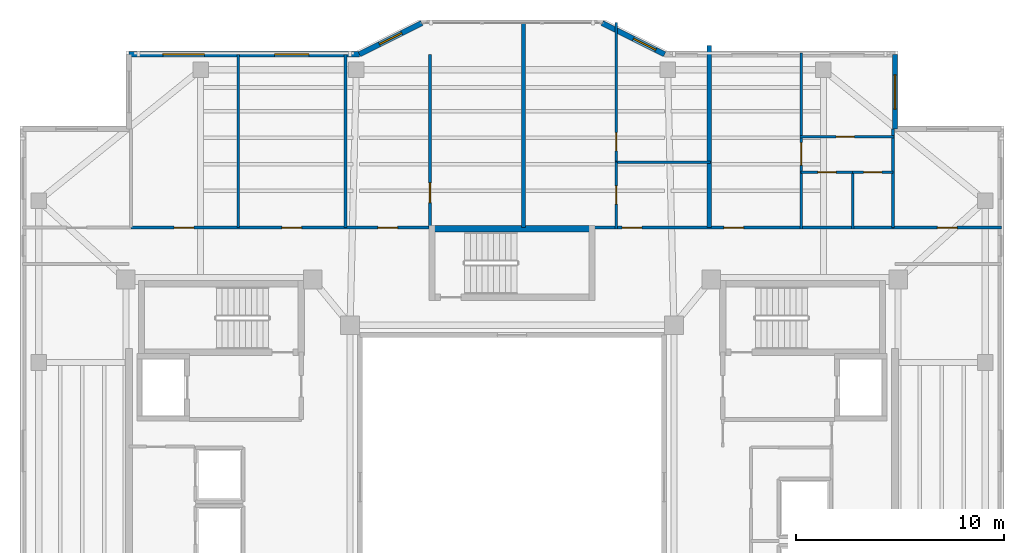
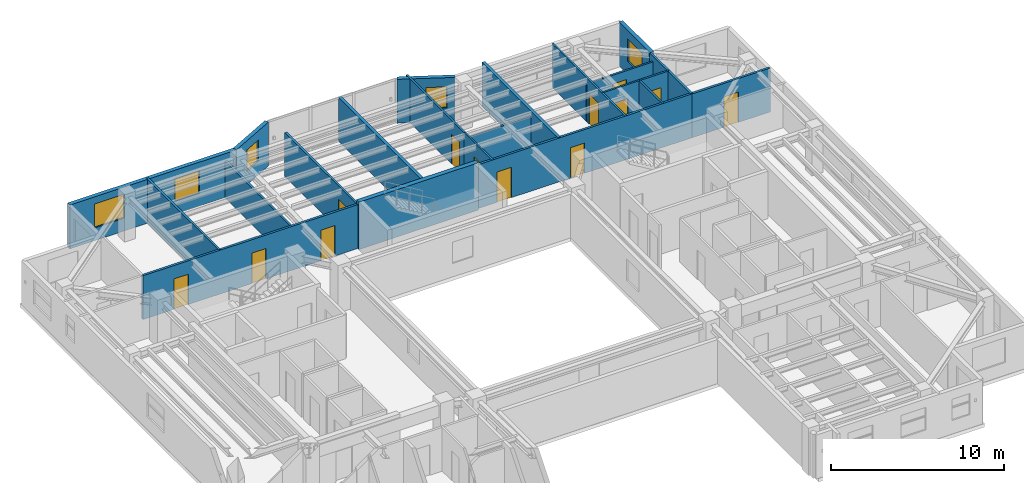
# One storey, part 7 of 11: 22 walls, 13 doors, 5 windows, 18 openings.
"""IFC4 building model written with IfcOpenShell, lengths in metres."""

from ifc_helpers import new_model, si_unit, direction, frame, frame_2d, origin, place, context, subcontext, project, spatial, rectangle, extrude, material, layer, layer_set, type_object, element, fill, save


model = new_model("IFC4")

# Units and contexts
model_context = context("Model", 3, precision=1e-05, world=origin(), true_north=direction((0.0, 1.0)))
body_context = subcontext(model_context, "Body", "Model", "MODEL_VIEW")
ifc_project = project(units=[si_unit("LENGTHUNIT", "METRE"), si_unit("AREAUNIT", "SQUARE_METRE"), si_unit("VOLUMEUNIT", "CUBIC_METRE"), si_unit("PLANEANGLEUNIT", "RADIAN"), si_unit("MASSUNIT", "GRAM", prefix="KILO")], contexts=[model_context])

# Site, building, storey
site_placement = place(None, origin())
site = spatial("IfcSite", under=ifc_project, at=site_placement, CompositionType="ELEMENT")
building_placement = place(site_placement, origin())
building = spatial("IfcBuilding", under=site, at=building_placement, Name="Tarnavaz Court Tower", CompositionType="ELEMENT")
storey_placement = place(building_placement, frame((0.0, 0.0, 217.050048828125)))
storey = spatial("IfcBuildingStorey", under=building, at=storey_placement, Name="L59", CompositionType="ELEMENT", Elevation=217.050048828125)

# Wall
ifc_material_1 = material(Name="Concrete C50/60", Category="concrete")
ifc_layer_1 = layer(ifc_material_1, 0.300048828125)
ifc_layer_set_1 = layer_set([ifc_layer_1], Name="Concrete C50/60")
wall_type_1 = type_object("IfcWallType", Name="WL-CORE-300-C50", PredefinedType="SHEAR", material=ifc_layer_set_1)
wall_1_placement = place(storey_placement, frame((-4.0, 12.43994140625, 0.0), z_axis=(0.0, 0.0, 1.0), x_axis=(1.0, 0.0, 0.0)))
element("IfcWall", 1, at=wall_1_placement, inside=storey, type_object=wall_type_1, Name="L59 North Stair Core Wall 009", PredefinedType="SHEAR", context=body_context, shape_type="SweptSolid", body=[
    extrude(rectangle(XDim=8.0, YDim=0.300048828125, at=frame_2d((4.0, 0.0))), origin(), (0.0, 0.0, 1.0), 3.349853515625),
])

# Wall, openings, windows
ifc_material_2 = material(Name="Precast Concrete C40/50", Category="concrete")
ifc_layer_2 = layer(ifc_material_2, 0.260009765625)
ifc_layer_set_2 = layer_set([ifc_layer_2], Name="Precast Concrete C40/50")
wall_type_2 = type_object("IfcWallType", Name="WL-EXT-260", PredefinedType="SOLIDWALL", material=ifc_layer_set_2)
wall_2_placement = place(storey_placement, frame((-18.449951171875, 20.85009765625, 0.0), z_axis=(0.0, 0.0, 1.0), x_axis=(1.0, 0.0, 0.0)))
wall_2 = element("IfcWall", 2, at=wall_2_placement, inside=storey, type_object=wall_type_2, Name="L59 Exterior Terracotta Facade Wall 05", PredefinedType="SOLIDWALL", context=body_context, shape_type="SweptSolid", body=[
    extrude(rectangle(XDim=11.099853515625, YDim=0.260009765625, at=frame_2d((5.5498046875, 0.0))), origin(), (0.0, 0.0, 1.0), 3.099853515625),
])
opening_1_placement = place(wall_2_placement, frame((1.636962890625, 0.0, 0.89990234375)))
opening_1 = element("IfcOpeningElement", 3, at=opening_1_placement, cuts=wall_2, Name="Opening W08", PredefinedType="OPENING", context=body_context, shape_type="SweptSolid", body=[
    extrude(rectangle(XDim=2.0, YDim=1.699951171875, at=frame_2d((1.0, 0.85009765625))), frame((0.0, 0.139892578125, 0.0), z_axis=(0.0, -1.0, 0.0), x_axis=(1.0, 0.0, 0.0)), (0.0, 0.0, 1.0), 0.280029296875),
])
opening_2_placement = place(wall_2_placement, frame((7.01025390625, 0.0, 0.89990234375)))
opening_2 = element("IfcOpeningElement", 4, at=opening_2_placement, cuts=wall_2, Name="Opening W02", PredefinedType="OPENING", context=body_context, shape_type="SweptSolid", body=[
    extrude(rectangle(XDim=1.64990234375, YDim=1.60009765625, at=frame_2d((0.824951171875, 0.800048828125))), frame((0.0, 0.139892578125, 0.0), z_axis=(0.0, -1.0, 0.0), x_axis=(1.0, 0.0, 0.0)), (0.0, 0.0, 1.0), 0.280029296875),
])
ifc_material_3 = material(Name="Double-Glazed Solar Low-E Glass", Category="glass")
window_type_1 = type_object("IfcWindowType", Name="WN-APT-1650", PartitioningType="DOUBLE_PANEL_VERTICAL", PredefinedType="WINDOW", material=ifc_material_3)
window_1_placement = place(opening_2_placement, origin())
window_1 = element("IfcWindow", 5, at=window_1_placement, inside=storey, type_object=window_type_1, Name="L59 Craft and Maker Workshop Room Window", OverallHeight=1.60009765625, OverallWidth=1.64990234375, PartitioningType="SINGLE_PANEL", PredefinedType="WINDOW", context=body_context, shape_type="SweptSolid", body=[
    extrude(rectangle(XDim=1.64990234375, YDim=1.60009765625, at=frame_2d((0.824951171875, 0.800048828125))), frame((0.0, 0.030029296875, 0.0), z_axis=(0.0, -1.0, 0.0), x_axis=(1.0, 0.0, 0.0)), (0.0, 0.0, 1.0), 0.06005859375),
])
fill(opening_2, window_1)
window_type_2 = type_object("IfcWindowType", Name="WN-APT-2000", PartitioningType="DOUBLE_PANEL_VERTICAL", PredefinedType="WINDOW", material=ifc_material_3)
window_2_placement = place(opening_1_placement, origin())
window_2 = element("IfcWindow", 6, at=window_2_placement, inside=storey, type_object=window_type_2, Name="L59 Resident Community Meeting Room Window", OverallHeight=1.699951171875, OverallWidth=2.0, PartitioningType="SINGLE_PANEL", PredefinedType="WINDOW", context=body_context, shape_type="SweptSolid", body=[
    extrude(rectangle(XDim=2.0, YDim=1.699951171875, at=frame_2d((1.0, 0.85009765625))), frame((0.0, 0.030029296875, 0.0), z_axis=(0.0, -1.0, 0.0), x_axis=(1.0, 0.0, 0.0)), (0.0, 0.0, 1.0), 0.06005859375),
])
fill(opening_1, window_2)

# Wall, opening, window
wall_3_placement = place(storey_placement, frame((-7.35009765625, 20.85009765625, 0.0), z_axis=(0.0, 0.0, 1.0), x_axis=(0.894427191, 0.4472135955, 0.0)))
wall_3 = element("IfcWall", 7, at=wall_3_placement, inside=storey, type_object=wall_type_2, Name="L59 Exterior Terracotta Facade Wall 06", PredefinedType="SOLIDWALL", context=body_context, shape_type="SweptSolid", body=[
    extrude(rectangle(XDim=3.35400390625, YDim=0.260009765625, at=frame_2d((1.677001953125, 0.0))), origin(), (0.0, 0.0, 1.0), 3.099853515625),
])
opening_3_placement = place(wall_3_placement, frame((1.0771484375, 0.0, 0.949951171875)))
opening_3 = element("IfcOpeningElement", 8, at=opening_3_placement, cuts=wall_3, Name="Opening W05", PredefinedType="OPENING", context=body_context, shape_type="SweptSolid", body=[
    extrude(rectangle(XDim=1.199951171875, YDim=1.5, at=frame_2d((0.60009765625, 0.75))), frame((0.0, 0.139892578125, 0.0), z_axis=(0.0, -1.0, 0.0), x_axis=(1.0, 0.0, 0.0)), (0.0, 0.0, 1.0), 0.280029296875),
])
window_type_3 = type_object("IfcWindowType", Name="WN-APT-1200", PartitioningType="SINGLE_PANEL", PredefinedType="WINDOW", material=ifc_material_3)
window_3_placement = place(opening_3_placement, origin())
window_3 = element("IfcWindow", 9, at=window_3_placement, inside=storey, type_object=window_type_3, Name="L59 Prow Cheek Bedroom Window 06", OverallHeight=1.5, OverallWidth=1.199951171875, PartitioningType="SINGLE_PANEL", PredefinedType="WINDOW", context=body_context, shape_type="SweptSolid", body=[
    extrude(rectangle(XDim=1.199951171875, YDim=1.5, at=frame_2d((0.60009765625, 0.75))), frame((0.0, 0.030029296875, 0.0), z_axis=(0.0, -1.0, 0.0), x_axis=(1.0, 0.0, 0.0)), (0.0, 0.0, 1.0), 0.06005859375),
])
fill(opening_3, window_3)

wall_4_placement = place(storey_placement, frame((4.35009765625, 22.35009765625, 0.0), z_axis=(0.0, 0.0, 1.0), x_axis=(0.894427191, -0.4472135955, 0.0)))
wall_4 = element("IfcWall", 10, at=wall_4_placement, inside=storey, type_object=wall_type_2, Name="L59 Exterior Terracotta Facade Wall 08", PredefinedType="SOLIDWALL", context=body_context, shape_type="SweptSolid", body=[
    extrude(rectangle(XDim=3.35400390625, YDim=0.260009765625, at=frame_2d((1.677001953125, 0.0))), origin(), (0.0, 0.0, 1.0), 3.099853515625),
])
opening_4_placement = place(wall_4_placement, frame((1.677978515625, 0.0, 0.949951171875)))
opening_4 = element("IfcOpeningElement", 11, at=opening_4_placement, cuts=wall_4, Name="Opening W05", PredefinedType="OPENING", context=body_context, shape_type="SweptSolid", body=[
    extrude(rectangle(XDim=1.199951171875, YDim=1.5, at=frame_2d((0.60009765625, 0.75))), frame((0.0, 0.139892578125, 0.0), z_axis=(0.0, -1.0, 0.0), x_axis=(1.0, 0.0, 0.0)), (0.0, 0.0, 1.0), 0.280029296875),
])
window_4_placement = place(opening_4_placement, origin())
window_4 = element("IfcWindow", 12, at=window_4_placement, inside=storey, type_object=window_type_3, Name="L59 Flat 01 Kitchen Window", OverallHeight=1.5, OverallWidth=1.199951171875, PartitioningType="SINGLE_PANEL", PredefinedType="WINDOW", context=body_context, shape_type="SweptSolid", body=[
    extrude(rectangle(XDim=1.199951171875, YDim=1.5, at=frame_2d((0.60009765625, 0.75))), frame((0.0, 0.030029296875, 0.0), z_axis=(0.0, -1.0, 0.0), x_axis=(1.0, 0.0, 0.0)), (0.0, 0.0, 1.0), 0.06005859375),
])
fill(opening_4, window_4)

wall_5_placement = place(storey_placement, frame((18.449951171875, 20.85009765625, 0.0), z_axis=(0.0, 0.0, 1.0), x_axis=(0.0, -1.0, 0.0)))
wall_5 = element("IfcWall", 13, at=wall_5_placement, inside=storey, type_object=wall_type_2, Name="L59 Exterior Terracotta Facade Wall 10", PredefinedType="SOLIDWALL", context=body_context, shape_type="SweptSolid", body=[
    extrude(rectangle(XDim=3.60009765625, YDim=0.260009765625, at=frame_2d((1.800048828125, 0.0))), origin(), (0.0, 0.0, 1.0), 3.099853515625),
])
opening_5_placement = place(wall_5_placement, frame((0.992431640625, 0.0, 0.89990234375)))
opening_5 = element("IfcOpeningElement", 14, at=opening_5_placement, cuts=wall_5, Name="Opening W02", PredefinedType="OPENING", context=body_context, shape_type="SweptSolid", body=[
    extrude(rectangle(XDim=1.64990234375, YDim=1.60009765625, at=frame_2d((0.824951171875, 0.800048828125))), frame((0.0, 0.139892578125, 0.0), z_axis=(0.0, -1.0, 0.0), x_axis=(1.0, 0.0, 0.0)), (0.0, 0.0, 1.0), 0.280029296875),
])
window_5_placement = place(opening_5_placement, origin())
window_5 = element("IfcWindow", 15, at=window_5_placement, inside=storey, type_object=window_type_1, Name="L59 Flat 02 Bedroom 1 Window", OverallHeight=1.60009765625, OverallWidth=1.64990234375, PartitioningType="SINGLE_PANEL", PredefinedType="WINDOW", context=body_context, shape_type="SweptSolid", body=[
    extrude(rectangle(XDim=1.64990234375, YDim=1.60009765625, at=frame_2d((0.824951171875, 0.800048828125))), frame((0.0, 0.030029296875, 0.0), z_axis=(0.0, -1.0, 0.0), x_axis=(1.0, 0.0, 0.0)), (0.0, 0.0, 1.0), 0.06005859375),
])
fill(opening_5, window_5)

# Wall, openings, doors
ifc_material_4 = material(Name="Gypsum Fire-Board on Acoustic Metal Stud", Category="masonry")
ifc_layer_3 = layer(ifc_material_4, 0.14990234375)
ifc_layer_set_3 = layer_set([ifc_layer_3], Name="Gypsum Fire-Board on Acoustic Metal Stud")
wall_type_3 = type_object("IfcWallType", Name="WL-FIRE-150", PredefinedType="PARTITIONING", material=ifc_layer_set_3)
wall_6_placement = place(storey_placement, frame((-18.35009765625, 12.5, 0.0), z_axis=(0.0, 0.0, 1.0), x_axis=(1.0, 0.0, 0.0)))
wall_6 = element("IfcWall", 16, at=wall_6_placement, inside=storey, type_object=wall_type_3, Name="L59 NW Wing Corridor Wall 058", PredefinedType="PARTITIONING", context=body_context, shape_type="SweptSolid", body=[
    extrude(rectangle(XDim=14.5, YDim=0.14990234375, at=frame_2d((7.25, 0.0))), origin(), (0.0, 0.0, 1.0), 3.099853515625),
])
opening_6_placement = place(wall_6_placement, frame((2.075927734375, 0.0, 0.0)))
opening_6 = element("IfcOpeningElement", 17, at=opening_6_placement, cuts=wall_6, Name="Opening D13", PredefinedType="OPENING", context=body_context, shape_type="SweptSolid", body=[
    extrude(rectangle(XDim=0.949951171875, YDim=2.14990234375, at=frame_2d((0.47509765625, 1.074951171875))), frame((0.0, 0.0849609375, 0.0), z_axis=(0.0, -1.0, 0.0), x_axis=(1.0, 0.0, 0.0)), (0.0, 0.0, 1.0), 0.169921875),
])
opening_7_placement = place(wall_6_placement, frame((7.26904296875, 0.0, 0.0)))
opening_7 = element("IfcOpeningElement", 18, at=opening_7_placement, cuts=wall_6, Name="Opening D13", PredefinedType="OPENING", context=body_context, shape_type="SweptSolid", body=[
    extrude(rectangle(XDim=0.949951171875, YDim=2.14990234375, at=frame_2d((0.47509765625, 1.074951171875))), frame((0.0, 0.0849609375, 0.0), z_axis=(0.0, -1.0, 0.0), x_axis=(1.0, 0.0, 0.0)), (0.0, 0.0, 1.0), 0.169921875),
])
opening_8_placement = place(wall_6_placement, frame((11.887939453125, 0.0, 0.0)))
opening_8 = element("IfcOpeningElement", 19, at=opening_8_placement, cuts=wall_6, Name="Opening D13", PredefinedType="OPENING", context=body_context, shape_type="SweptSolid", body=[
    extrude(rectangle(XDim=0.949951171875, YDim=2.14990234375, at=frame_2d((0.47509765625, 1.074951171875))), frame((0.0, 0.0849609375, 0.0), z_axis=(0.0, -1.0, 0.0), x_axis=(1.0, 0.0, 0.0)), (0.0, 0.0, 1.0), 0.169921875),
])
ifc_material_5 = material(Name="Engineered Oak Timber", Category="wood")
door_type_1 = type_object("IfcDoorType", Name="DR-INT-950", OperationType="NOTDEFINED", PredefinedType="DOOR", material=ifc_material_5)
door_1_placement = place(opening_6_placement, origin())
door_1 = element("IfcDoor", 20, at=door_1_placement, inside=storey, type_object=door_type_1, Name="L59 Resident Community Meeting Room Door", OperationType="SINGLE_SWING_RIGHT", OverallHeight=2.14990234375, OverallWidth=0.949951171875, PredefinedType="DOOR", context=body_context, shape_type="SweptSolid", body=[
    extrude(rectangle(XDim=0.949951171875, YDim=2.14990234375, at=frame_2d((0.47509765625, 1.074951171875))), frame((0.0, 0.02490234375, 0.0), z_axis=(0.0, -1.0, 0.0), x_axis=(1.0, 0.0, 0.0)), (0.0, 0.0, 1.0), 0.050048828125),
])
fill(opening_6, door_1)
door_2_placement = place(opening_7_placement, origin())
door_2 = element("IfcDoor", 21, at=door_2_placement, inside=storey, type_object=door_type_1, Name="L59 Craft and Maker Workshop Room Door", OperationType="SINGLE_SWING_LEFT", OverallHeight=2.14990234375, OverallWidth=0.949951171875, PredefinedType="DOOR", context=body_context, shape_type="SweptSolid", body=[
    extrude(rectangle(XDim=0.949951171875, YDim=2.14990234375, at=frame_2d((0.47509765625, 1.074951171875))), frame((0.0, 0.02490234375, 0.0), z_axis=(0.0, -1.0, 0.0), x_axis=(1.0, 0.0, 0.0)), (0.0, 0.0, 1.0), 0.050048828125),
])
fill(opening_7, door_2)
door_3_placement = place(opening_8_placement, origin())
door_3 = element("IfcDoor", 22, at=door_3_placement, inside=storey, type_object=door_type_1, Name="L59 Accessible Washroom WC Door", OperationType="SINGLE_SWING_RIGHT", OverallHeight=2.14990234375, OverallWidth=0.949951171875, PredefinedType="DOOR", context=body_context, shape_type="SweptSolid", body=[
    extrude(rectangle(XDim=0.949951171875, YDim=2.14990234375, at=frame_2d((0.47509765625, 1.074951171875))), frame((0.0, 0.02490234375, 0.0), z_axis=(0.0, -1.0, 0.0), x_axis=(1.0, 0.0, 0.0)), (0.0, 0.0, 1.0), 0.050048828125),
])
fill(opening_8, door_3)

wall_7_placement = place(storey_placement, frame((3.85009765625, 12.5, 0.0), z_axis=(0.0, 0.0, 1.0), x_axis=(1.0, 0.0, 0.0)))
wall_7 = element("IfcWall", 23, at=wall_7_placement, inside=storey, type_object=wall_type_3, Name="L59 NE Wing Corridor Wall 059", PredefinedType="PARTITIONING", context=body_context, shape_type="SweptSolid", body=[
    extrude(rectangle(XDim=14.5, YDim=0.14990234375, at=frame_2d((7.25, 0.0))), origin(), (0.0, 0.0, 1.0), 3.099853515625),
])
opening_9_placement = place(wall_7_placement, frame((1.449951171875, 0.0, 0.0)))
opening_9 = element("IfcOpeningElement", 24, at=opening_9_placement, cuts=wall_7, Name="Opening D06", PredefinedType="OPENING", context=body_context, shape_type="SweptSolid", body=[
    extrude(rectangle(XDim=0.9599609375, YDim=2.14990234375, at=frame_2d((0.47998046875, 1.074951171875))), frame((0.0, 0.0849609375, 0.0), z_axis=(0.0, -1.0, 0.0), x_axis=(1.0, 0.0, 0.0)), (0.0, 0.0, 1.0), 0.169921875),
])
opening_10_placement = place(wall_7_placement, frame((6.35009765625, 0.0, 0.0)))
opening_10 = element("IfcOpeningElement", 25, at=opening_10_placement, cuts=wall_7, Name="Opening D06", PredefinedType="OPENING", context=body_context, shape_type="SweptSolid", body=[
    extrude(rectangle(XDim=0.9599609375, YDim=2.14990234375, at=frame_2d((0.47998046875, 1.074951171875))), frame((0.0, 0.0849609375, 0.0), z_axis=(0.0, -1.0, 0.0), x_axis=(1.0, 0.0, 0.0)), (0.0, 0.0, 1.0), 0.169921875),
])
ifc_material_6 = material(Name="Fire-Rated Hardwood Timber Core", Category="wood")
door_type_2 = type_object("IfcDoorType", Name="DR-FD60-950", OperationType="NOTDEFINED", PredefinedType="DOOR", material=ifc_material_6)
door_4_placement = place(opening_9_placement, origin())
door_4 = element("IfcDoor", 26, at=door_4_placement, inside=storey, type_object=door_type_2, Name="L59 Flat 01 Entrance Door", OperationType="SINGLE_SWING_RIGHT", OverallHeight=2.14990234375, OverallWidth=0.9599609375, PredefinedType="DOOR", context=body_context, shape_type="SweptSolid", body=[
    extrude(rectangle(XDim=0.9599609375, YDim=2.14990234375, at=frame_2d((0.47998046875, 1.074951171875))), frame((0.0, 0.02490234375, 0.0), z_axis=(0.0, -1.0, 0.0), x_axis=(1.0, 0.0, 0.0)), (0.0, 0.0, 1.0), 0.050048828125),
])
fill(opening_9, door_4)
door_5_placement = place(opening_10_placement, origin())
door_5 = element("IfcDoor", 27, at=door_5_placement, inside=storey, type_object=door_type_2, Name="L59 Flat 02 Entrance Door", OperationType="SINGLE_SWING_LEFT", OverallHeight=2.14990234375, OverallWidth=0.9599609375, PredefinedType="DOOR", context=body_context, shape_type="SweptSolid", body=[
    extrude(rectangle(XDim=0.9599609375, YDim=2.14990234375, at=frame_2d((0.47998046875, 1.074951171875))), frame((0.0, 0.02490234375, 0.0), z_axis=(0.0, -1.0, 0.0), x_axis=(1.0, 0.0, 0.0)), (0.0, 0.0, 1.0), 0.050048828125),
])
fill(opening_10, door_5)

# Wall, opening, door
wall_8_placement = place(storey_placement, frame((18.35009765625, 12.5, 0.0), z_axis=(0.0, 0.0, 1.0), x_axis=(1.0, 0.0, 0.0)))
wall_8 = element("IfcWall", 28, at=wall_8_placement, inside=storey, type_object=wall_type_3, Name="L59 Interior Partition 097", PredefinedType="PARTITIONING", context=body_context, shape_type="SweptSolid", body=[
    extrude(rectangle(XDim=5.22998046875, YDim=0.14990234375, at=frame_2d((2.614990234375, 0.0))), origin(), (0.0, 0.0, 1.0), 3.099853515625),
])
opening_11_placement = place(wall_8_placement, frame((2.139892578125, 0.0, 0.0)))
opening_11 = element("IfcOpeningElement", 29, at=opening_11_placement, cuts=wall_8, Name="Opening D13", PredefinedType="OPENING", context=body_context, shape_type="SweptSolid", body=[
    extrude(rectangle(XDim=0.949951171875, YDim=2.14990234375, at=frame_2d((0.47509765625, 1.074951171875))), frame((0.0, 0.0849609375, 0.0), z_axis=(0.0, -1.0, 0.0), x_axis=(1.0, 0.0, 0.0)), (0.0, 0.0, 1.0), 0.169921875),
])
door_6_placement = place(opening_11_placement, origin())
door_6 = element("IfcDoor", 30, at=door_6_placement, inside=storey, type_object=door_type_1, Name="L59 NE Sunroom Door", OperationType="SINGLE_SWING_RIGHT", OverallHeight=2.14990234375, OverallWidth=0.949951171875, PredefinedType="DOOR", context=body_context, shape_type="SweptSolid", body=[
    extrude(rectangle(XDim=0.949951171875, YDim=2.14990234375, at=frame_2d((0.47509765625, 1.074951171875))), frame((0.0, 0.02490234375, 0.0), z_axis=(0.0, -1.0, 0.0), x_axis=(1.0, 0.0, 0.0)), (0.0, 0.0, 1.0), 0.050048828125),
])
fill(opening_11, door_6)

# Walls
ifc_material_7 = material(Name="Autoclaved Aerated Concrete Blockwork", Category="masonry")
ifc_layer_4 = layer(ifc_material_7, 0.199951171875)
ifc_layer_set_4 = layer_set([ifc_layer_4], Name="Autoclaved Aerated Concrete Blockwork")
wall_type_4 = type_object("IfcWallType", Name="WL-FIRE-200", PredefinedType="SOLIDWALL", material=ifc_layer_set_4)
wall_9_placement = place(storey_placement, frame((0.550048828125, 12.5, 0.0), z_axis=(0.0, 0.0, 1.0), x_axis=(0.0, 1.0, 0.0)))
element("IfcWall", 31, at=wall_9_placement, inside=storey, type_object=wall_type_4, Name="L59 North Center Party Wall 064", PredefinedType="SOLIDWALL", context=body_context, shape_type="SweptSolid", body=[
    extrude(rectangle(XDim=9.8798828125, YDim=0.199951171875, at=frame_2d((4.93994140625, 0.0))), origin(), (0.0, 0.0, 1.0), 3.099853515625),
])
wall_10_placement = place(storey_placement, frame((9.5, 12.5, 0.0), z_axis=(0.0, 0.0, 1.0), x_axis=(0.0, 1.0, 0.0)))
element("IfcWall", 32, at=wall_10_placement, inside=storey, type_object=wall_type_4, Name="L59 Party Wall 068", PredefinedType="SOLIDWALL", context=body_context, shape_type="SweptSolid", body=[
    extrude(rectangle(XDim=8.77001953125, YDim=0.199951171875, at=frame_2d((4.385009765625, 0.0))), origin(), (0.0, 0.0, 1.0), 3.099853515625),
])

# Wall, opening, door
ifc_material_8 = material(Name="Moisture-Resistant Gypsum Board Partition", Category="masonry")
ifc_layer_5 = layer(ifc_material_8, 0.1201171875)
ifc_layer_set_5 = layer_set([ifc_layer_5], Name="Moisture-Resistant Gypsum Board Partition")
wall_type_5 = type_object("IfcWallType", Name="WL-PART-120", PredefinedType="PARTITIONING", material=ifc_layer_set_5)
wall_11_placement = place(storey_placement, frame((5.02490234375, 12.43994140625, 0.0), z_axis=(0.0, 0.0, 1.0), x_axis=(0.0, 1.0, 0.0)))
wall_11 = element("IfcWall", 33, at=wall_11_placement, inside=storey, type_object=wall_type_5, Name="L59 Interior Partition 069", PredefinedType="PARTITIONING", context=body_context, shape_type="SweptSolid", body=[
    extrude(rectangle(XDim=3.2099609375, YDim=0.1201171875, at=frame_2d((1.60498046875, 0.0))), origin(), (0.0, 0.0, 1.0), 3.099853515625),
])
opening_12_placement = place(wall_11_placement, frame((1.195068359375, 0.0, 0.0)))
opening_12 = element("IfcOpeningElement", 34, at=opening_12_placement, cuts=wall_11, Name="Opening D14", PredefinedType="OPENING", context=body_context, shape_type="SweptSolid", body=[
    extrude(rectangle(XDim=0.8798828125, YDim=2.10009765625, at=frame_2d((0.43994140625, 1.050048828125))), frame((0.0, 0.070068359375, 0.0), z_axis=(0.0, -1.0, 0.0), x_axis=(1.0, 0.0, 0.0)), (0.0, 0.0, 1.0), 0.14013671875),
])
door_type_3 = type_object("IfcDoorType", Name="DR-INT-900", OperationType="NOTDEFINED", PredefinedType="DOOR", material=ifc_material_5)
door_7_placement = place(opening_12_placement, origin())
door_7 = element("IfcDoor", 35, at=door_7_placement, inside=storey, type_object=door_type_3, Name="L59 Flat 01 Bathroom Door", OperationType="SINGLE_SWING_LEFT", OverallHeight=2.10009765625, OverallWidth=0.8798828125, PredefinedType="DOOR", context=body_context, shape_type="SweptSolid", body=[
    extrude(rectangle(XDim=0.8798828125, YDim=2.10009765625, at=frame_2d((0.43994140625, 1.050048828125))), frame((0.0, 0.02490234375, 0.0), z_axis=(0.0, -1.0, 0.0), x_axis=(1.0, 0.0, 0.0)), (0.0, 0.0, 1.0), 0.050048828125),
])
fill(opening_12, door_7)

wall_12_placement = place(storey_placement, frame((5.02490234375, 15.64990234375, 0.0), z_axis=(0.0, 0.0, 1.0), x_axis=(0.0, 1.0, 0.0)))
wall_12 = element("IfcWall", 36, at=wall_12_placement, inside=storey, type_object=wall_type_5, Name="L59 Interior Partition 070", PredefinedType="PARTITIONING", context=body_context, shape_type="SweptSolid", body=[
    extrude(rectangle(XDim=6.72412109375, YDim=0.1201171875, at=frame_2d((3.362060546875, 0.0))), origin(), (0.0, 0.0, 1.0), 3.099853515625),
])
opening_13_placement = place(wall_12_placement, frame((0.550048828125, 0.0, 0.0)))
opening_13 = element("IfcOpeningElement", 37, at=opening_13_placement, cuts=wall_12, Name="Opening D14", PredefinedType="OPENING", context=body_context, shape_type="SweptSolid", body=[
    extrude(rectangle(XDim=0.8798828125, YDim=2.10009765625, at=frame_2d((0.43994140625, 1.050048828125))), frame((0.0, 0.070068359375, 0.0), z_axis=(0.0, -1.0, 0.0), x_axis=(1.0, 0.0, 0.0)), (0.0, 0.0, 1.0), 0.14013671875),
])
door_8_placement = place(opening_13_placement, origin())
door_8 = element("IfcDoor", 38, at=door_8_placement, inside=storey, type_object=door_type_3, Name="L59 Flat 01 Kitchen Door", OperationType="SINGLE_SWING_RIGHT", OverallHeight=2.10009765625, OverallWidth=0.8798828125, PredefinedType="DOOR", context=body_context, shape_type="SweptSolid", body=[
    extrude(rectangle(XDim=0.8798828125, YDim=2.10009765625, at=frame_2d((0.43994140625, 1.050048828125))), frame((0.0, 0.02490234375, 0.0), z_axis=(0.0, -1.0, 0.0), x_axis=(1.0, 0.0, 0.0)), (0.0, 0.0, 1.0), 0.050048828125),
])
fill(opening_13, door_8)

# Wall
wall_13_placement = place(storey_placement, frame((4.965087890625, 15.64990234375, 0.0), z_axis=(0.0, 0.0, 1.0), x_axis=(1.0, 0.0, 0.0)))
element("IfcWall", 39, at=wall_13_placement, inside=storey, type_object=wall_type_5, Name="L59 Interior Partition 071", PredefinedType="PARTITIONING", context=body_context, shape_type="SweptSolid", body=[
    extrude(rectangle(XDim=4.594970703125, YDim=0.1201171875, at=frame_2d((2.29736328125, 0.0))), origin(), (0.0, 0.0, 1.0), 2.724853515625),
])

# Wall, opening, door
wall_14_placement = place(storey_placement, frame((13.925048828125, 12.43994140625, 0.0), z_axis=(0.0, 0.0, 1.0), x_axis=(0.0, 1.0, 0.0)))
wall_14 = element("IfcWall", 40, at=wall_14_placement, inside=storey, type_object=wall_type_5, Name="L59 Interior Partition 072", PredefinedType="PARTITIONING", context=body_context, shape_type="SweptSolid", body=[
    extrude(rectangle(XDim=8.4599609375, YDim=0.1201171875, at=frame_2d((4.22998046875, 0.0))), origin(), (0.0, 0.0, 1.0), 3.099853515625),
])
opening_14_placement = place(wall_14_placement, frame((3.074951171875, 0.0, 0.0)))
opening_14 = element("IfcOpeningElement", 41, at=opening_14_placement, cuts=wall_14, Name="Opening D12", PredefinedType="OPENING", context=body_context, shape_type="SweptSolid", body=[
    extrude(rectangle(XDim=1.080078125, YDim=2.14990234375, at=frame_2d((0.5400390625, 1.074951171875))), frame((0.0, 0.070068359375, 0.0), z_axis=(0.0, -1.0, 0.0), x_axis=(1.0, 0.0, 0.0)), (0.0, 0.0, 1.0), 0.14013671875),
])
door_type_4 = type_object("IfcDoorType", Name="DR-INT-1100", OperationType="NOTDEFINED", PredefinedType="DOOR", material=ifc_material_5)
door_9_placement = place(opening_14_placement, origin())
door_9 = element("IfcDoor", 42, at=door_9_placement, inside=storey, type_object=door_type_4, Name="L59 Flat 02 Foyer Door", OperationType="SINGLE_SWING_RIGHT", OverallHeight=2.14990234375, OverallWidth=1.080078125, PredefinedType="DOOR", context=body_context, shape_type="SweptSolid", body=[
    extrude(rectangle(XDim=1.080078125, YDim=2.14990234375, at=frame_2d((0.5400390625, 1.074951171875))), frame((0.0, 0.02490234375, 0.0), z_axis=(0.0, -1.0, 0.0), x_axis=(1.0, 0.0, 0.0)), (0.0, 0.0, 1.0), 0.050048828125),
])
fill(opening_14, door_9)

wall_15_placement = place(storey_placement, frame((13.925048828125, 15.169921875, 0.0), z_axis=(0.0, 0.0, 1.0), x_axis=(1.0, 0.0, 0.0)))
wall_15 = element("IfcWall", 43, at=wall_15_placement, inside=storey, type_object=wall_type_5, Name="L59 Interior Partition 073", PredefinedType="PARTITIONING", context=body_context, shape_type="SweptSolid", body=[
    extrude(rectangle(XDim=2.488037109375, YDim=0.1201171875, at=frame_2d((1.244140625, 0.0))), origin(), (0.0, 0.0, 1.0), 3.099853515625),
])
opening_15_placement = place(wall_15_placement, frame((0.803955078125, 0.0, 0.0)))
opening_15 = element("IfcOpeningElement", 44, at=opening_15_placement, cuts=wall_15, Name="Opening D14", PredefinedType="OPENING", context=body_context, shape_type="SweptSolid", body=[
    extrude(rectangle(XDim=0.8798828125, YDim=2.10009765625, at=frame_2d((0.43994140625, 1.050048828125))), frame((0.0, 0.070068359375, 0.0), z_axis=(0.0, -1.0, 0.0), x_axis=(1.0, 0.0, 0.0)), (0.0, 0.0, 1.0), 0.14013671875),
])
door_10_placement = place(opening_15_placement, origin())
door_10 = element("IfcDoor", 45, at=door_10_placement, inside=storey, type_object=door_type_3, Name="L59 Flat 02 Kitchen Door", OperationType="SINGLE_SWING_LEFT", OverallHeight=2.10009765625, OverallWidth=0.8798828125, PredefinedType="DOOR", context=body_context, shape_type="SweptSolid", body=[
    extrude(rectangle(XDim=0.8798828125, YDim=2.10009765625, at=frame_2d((0.43994140625, 1.050048828125))), frame((0.0, 0.02490234375, 0.0), z_axis=(0.0, -1.0, 0.0), x_axis=(1.0, 0.0, 0.0)), (0.0, 0.0, 1.0), 0.050048828125),
])
fill(opening_15, door_10)

wall_16_placement = place(storey_placement, frame((16.4130859375, 15.169921875, 0.0), z_axis=(0.0, 0.0, 1.0), x_axis=(1.0, 0.0, 0.0)))
wall_16 = element("IfcWall", 46, at=wall_16_placement, inside=storey, type_object=wall_type_5, Name="L59 Interior Partition 074", PredefinedType="PARTITIONING", context=body_context, shape_type="SweptSolid", body=[
    extrude(rectangle(XDim=1.93701171875, YDim=0.1201171875, at=frame_2d((0.968505859375, 0.0))), origin(), (0.0, 0.0, 1.0), 3.099853515625),
])
opening_16_placement = place(wall_16_placement, frame((0.529052734375, 0.0, 0.0)))
opening_16 = element("IfcOpeningElement", 47, at=opening_16_placement, cuts=wall_16, Name="Opening D14", PredefinedType="OPENING", context=body_context, shape_type="SweptSolid", body=[
    extrude(rectangle(XDim=0.8798828125, YDim=2.10009765625, at=frame_2d((0.43994140625, 1.050048828125))), frame((0.0, 0.070068359375, 0.0), z_axis=(0.0, -1.0, 0.0), x_axis=(1.0, 0.0, 0.0)), (0.0, 0.0, 1.0), 0.14013671875),
])
door_11_placement = place(opening_16_placement, origin())
door_11 = element("IfcDoor", 48, at=door_11_placement, inside=storey, type_object=door_type_3, Name="L59 Flat 02 Bathroom Door", OperationType="SINGLE_SWING_RIGHT", OverallHeight=2.10009765625, OverallWidth=0.8798828125, PredefinedType="DOOR", context=body_context, shape_type="SweptSolid", body=[
    extrude(rectangle(XDim=0.8798828125, YDim=2.10009765625, at=frame_2d((0.43994140625, 1.050048828125))), frame((0.0, 0.02490234375, 0.0), z_axis=(0.0, -1.0, 0.0), x_axis=(1.0, 0.0, 0.0)), (0.0, 0.0, 1.0), 0.050048828125),
])
fill(opening_16, door_11)

wall_17_placement = place(storey_placement, frame((13.864990234375, 16.8798828125, 0.0), z_axis=(0.0, 0.0, 1.0), x_axis=(1.0, 0.0, 0.0)))
wall_17 = element("IfcWall", 49, at=wall_17_placement, inside=storey, type_object=wall_type_5, Name="L59 Interior Partition 075", PredefinedType="PARTITIONING", context=body_context, shape_type="SweptSolid", body=[
    extrude(rectangle(XDim=4.544921875, YDim=0.1201171875, at=frame_2d((2.2724609375, 0.0))), origin(), (0.0, 0.0, 1.0), 2.724853515625),
])
opening_17_placement = place(wall_17_placement, frame((1.742919921875, 0.0, 0.0)))
opening_17 = element("IfcOpeningElement", 50, at=opening_17_placement, cuts=wall_17, Name="Opening D14", PredefinedType="OPENING", context=body_context, shape_type="SweptSolid", body=[
    extrude(rectangle(XDim=0.8798828125, YDim=2.10009765625, at=frame_2d((0.43994140625, 1.050048828125))), frame((0.0, 0.070068359375, 0.0), z_axis=(0.0, -1.0, 0.0), x_axis=(1.0, 0.0, 0.0)), (0.0, 0.0, 1.0), 0.14013671875),
])
door_12_placement = place(opening_17_placement, origin())
door_12 = element("IfcDoor", 51, at=door_12_placement, inside=storey, type_object=door_type_3, Name="L59 Flat 02 Bedroom 1 Door", OperationType="SINGLE_SWING_LEFT", OverallHeight=2.10009765625, OverallWidth=0.8798828125, PredefinedType="DOOR", context=body_context, shape_type="SweptSolid", body=[
    extrude(rectangle(XDim=0.8798828125, YDim=2.10009765625, at=frame_2d((0.43994140625, 1.050048828125))), frame((0.0, 0.02490234375, 0.0), z_axis=(0.0, -1.0, 0.0), x_axis=(1.0, 0.0, 0.0)), (0.0, 0.0, 1.0), 0.050048828125),
])
fill(opening_17, door_12)

# Wall
wall_18_placement = place(storey_placement, frame((16.4130859375, 12.43994140625, 0.0), z_axis=(0.0, 0.0, 1.0), x_axis=(0.0, 1.0, 0.0)))
element("IfcWall", 52, at=wall_18_placement, inside=storey, type_object=wall_type_5, Name="L59 Interior Partition 076", PredefinedType="PARTITIONING", context=body_context, shape_type="SweptSolid", body=[
    extrude(rectangle(XDim=2.7900390625, YDim=0.1201171875, at=frame_2d((1.39501953125, 0.0))), origin(), (0.0, 0.0, 1.0), 3.099853515625),
])

# Wall, opening, door
ifc_material_9 = material(Name="Gypsum Plasterboard Acoustic Partition", Category="masonry")
ifc_layer_6 = layer(ifc_material_9, 0.139892578125)
ifc_layer_set_6 = layer_set([ifc_layer_6], Name="Gypsum Plasterboard Acoustic Partition")
wall_type_6 = type_object("IfcWallType", Name="WL-PART-150", PredefinedType="PARTITIONING", material=ifc_layer_set_6)
wall_19_placement = place(storey_placement, frame((-3.949951171875, 12.5, 0.0), z_axis=(0.0, 0.0, 1.0), x_axis=(0.0, 1.0, 0.0)))
wall_19 = element("IfcWall", 53, at=wall_19_placement, inside=storey, type_object=wall_type_6, Name="L59 Interior Partition 065", PredefinedType="PARTITIONING", context=body_context, shape_type="SweptSolid", body=[
    extrude(rectangle(XDim=8.35009765625, YDim=0.139892578125, at=frame_2d((4.175048828125, 0.0))), origin(), (0.0, 0.0, 1.0), 3.099853515625),
])
opening_18_placement = place(wall_19_placement, frame((1.199951171875, 0.0, 0.0)))
opening_18 = element("IfcOpeningElement", 54, at=opening_18_placement, cuts=wall_19, Name="Opening D13", PredefinedType="OPENING", context=body_context, shape_type="SweptSolid", body=[
    extrude(rectangle(XDim=0.949951171875, YDim=2.14990234375, at=frame_2d((0.47509765625, 1.074951171875))), frame((0.0, 0.079833984375, 0.0), z_axis=(0.0, -1.0, 0.0), x_axis=(1.0, 0.0, 0.0)), (0.0, 0.0, 1.0), 0.159912109375),
])
door_13_placement = place(opening_18_placement, origin())
door_13 = element("IfcDoor", 55, at=door_13_placement, inside=storey, type_object=door_type_1, Name="L59 NW Iwan Study Door", OperationType="SINGLE_SWING_LEFT", OverallHeight=2.14990234375, OverallWidth=0.949951171875, PredefinedType="DOOR", context=body_context, shape_type="SweptSolid", body=[
    extrude(rectangle(XDim=0.949951171875, YDim=2.14990234375, at=frame_2d((0.47509765625, 1.074951171875))), frame((0.0, 0.02490234375, 0.0), z_axis=(0.0, -1.0, 0.0), x_axis=(1.0, 0.0, 0.0)), (0.0, 0.0, 1.0), 0.050048828125),
])
fill(opening_18, door_13)

# Walls
wall_20_placement = place(storey_placement, frame((-13.18798828125, 12.5, 0.0), z_axis=(0.0, 0.0, 1.0), x_axis=(0.0, 1.0, 0.0)))
element("IfcWall", 56, at=wall_20_placement, inside=storey, type_object=wall_type_6, Name="L59 Interior Partition 066", PredefinedType="PARTITIONING", context=body_context, shape_type="SweptSolid", body=[
    extrude(rectangle(XDim=8.35009765625, YDim=0.139892578125, at=frame_2d((4.175048828125, 0.0))), origin(), (0.0, 0.0, 1.0), 3.099853515625),
])
wall_21_placement = place(storey_placement, frame((-8.02490234375, 12.5, 0.0), z_axis=(0.0, 0.0, 1.0), x_axis=(0.0, 1.0, 0.0)))
element("IfcWall", 57, at=wall_21_placement, inside=storey, type_object=wall_type_6, Name="L59 Interior Partition 067", PredefinedType="PARTITIONING", context=body_context, shape_type="SweptSolid", body=[
    extrude(rectangle(XDim=8.35009765625, YDim=0.139892578125, at=frame_2d((4.175048828125, 0.0))), origin(), (0.0, 0.0, 1.0), 2.5849609375),
])
wall_22_placement = place(storey_placement, frame((18.35009765625, 12.5, 0.0), z_axis=(0.0, 0.0, 1.0), x_axis=(0.0, 1.0, 0.0)))
element("IfcWall", 58, at=wall_22_placement, inside=storey, type_object=wall_type_6, Name="L59 Interior Partition 095", PredefinedType="PARTITIONING", context=body_context, shape_type="SweptSolid", body=[
    extrude(rectangle(XDim=4.75, YDim=0.139892578125, at=frame_2d((2.375, 0.0))), origin(), (0.0, 0.0, 1.0), 3.099853515625),
])

save(model, "model.ifc")
